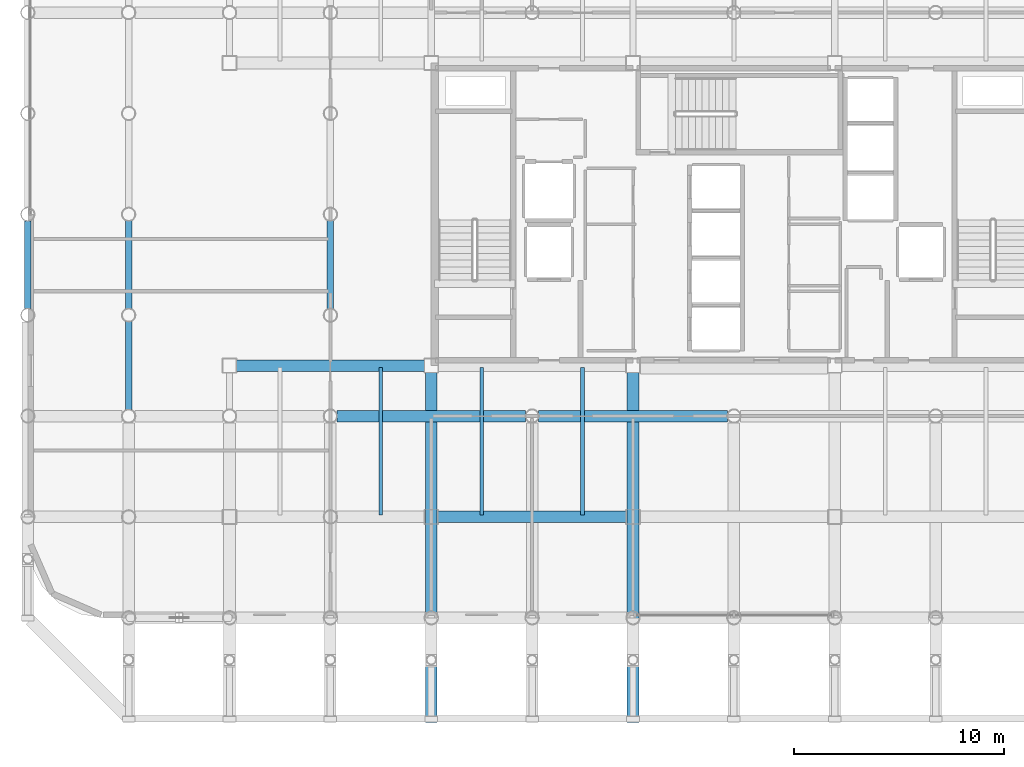
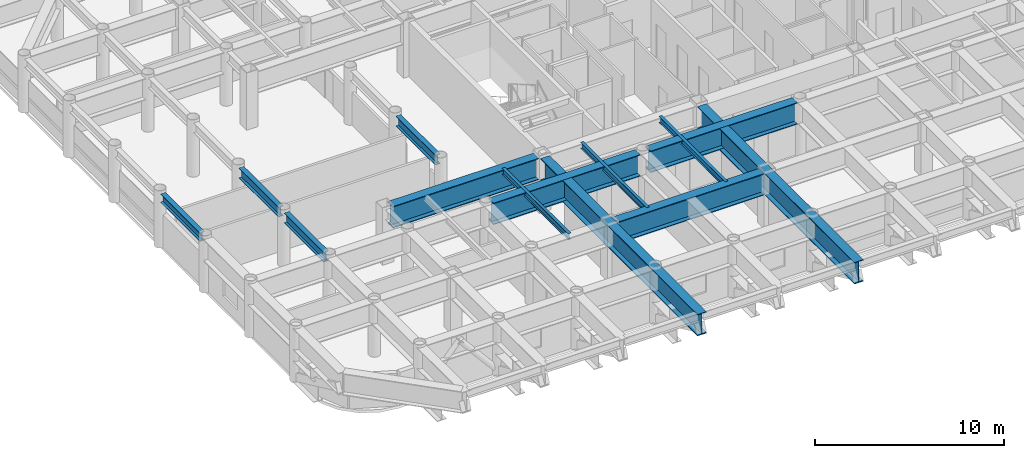
# One storey, part 5 of 24: 13 beams.
"""IFC4 building model written with IfcOpenShell, lengths in metres."""

from ifc_helpers import new_model, si_unit, direction, frame, origin, origin_2d, place, context, subcontext, project, spatial, i_section, extrude, material, material_profile, profile_set, type_object, element, save


model = new_model("IFC4")

# Units and contexts
model_context = context("Model", 3, precision=1e-05, world=origin(), true_north=direction((0.0, 1.0)))
body_context = subcontext(model_context, "Body", "Model", "MODEL_VIEW")
ifc_project = project(units=[si_unit("LENGTHUNIT", "METRE"), si_unit("AREAUNIT", "SQUARE_METRE"), si_unit("VOLUMEUNIT", "CUBIC_METRE"), si_unit("PLANEANGLEUNIT", "RADIAN"), si_unit("MASSUNIT", "GRAM", prefix="KILO")], contexts=[model_context])

# Site, building, storey
site_placement = place(None, origin())
site = spatial("IfcSite", under=ifc_project, at=site_placement, CompositionType="ELEMENT")
building_placement = place(site_placement, origin())
building = spatial("IfcBuilding", under=site, at=building_placement, Name="Kallvorn Hotel Tower", CompositionType="ELEMENT")
storey_placement = place(building_placement, frame((0.0, 0.0, 150.699951171875)))
storey = spatial("IfcBuildingStorey", under=building, at=storey_placement, Name="L37", CompositionType="ELEMENT", Elevation=150.699951171875)

# Beams
ifc_material_1 = material(Name="Structural steel S355JR", Category="steel")
ifc_material_profile_1 = material_profile(ifc_material_1, i_section(OverallWidth=0.300048828125, OverallDepth=0.550048828125, WebThickness=0.014892578125, FlangeThickness=0.029052734375, at=origin_2d()), Name="HE 550 B")
ifc_profile_set_1 = profile_set([ifc_material_profile_1], Name="Structural steel S355JR")
beam_type_1 = type_object("IfcBeamType", Name="BM_HE550B", PredefinedType="SPANDREL", material=ifc_profile_set_1)
beam_1_placement = place(storey_placement, frame((-33.60009765625, -4.47998046875, 3.2451171875), z_axis=(0.0, 1.0, 0.0), x_axis=(-1.0, 0.0, 0.0)))
element("IfcBeam", 1, at=beam_1_placement, inside=storey, type_object=beam_type_1, Name="L38 Perimeter Spandrel 190", PredefinedType="SPANDREL", context=body_context, shape_type="SweptSolid", body=[
    extrude(i_section(OverallWidth=0.300048828125, OverallDepth=0.550048828125, WebThickness=0.014892578125, FlangeThickness=0.029052734375, at=origin_2d()), origin(), (0.0, 0.0, 1.0), 4.159912109375),
])
ifc_material_2 = material(Name="Structural steel S355JR", Category="steel")
ifc_material_profile_2 = material_profile(ifc_material_2, i_section(OverallWidth=0.300048828125, OverallDepth=0.64990234375, WebThickness=0.01611328125, FlangeThickness=0.031005859375, at=origin_2d()), Name="HE 650 B")
ifc_profile_set_2 = profile_set([ifc_material_profile_2], Name="Structural steel S355JR")
beam_type_2 = type_object("IfcBeamType", Name="BM_HE650B", PredefinedType="BEAM", material=ifc_profile_set_2)
beam_2_placement = place(storey_placement, frame((-28.800048828125, -9.294921875, 3.195068359375), z_axis=(0.0, 1.0, 0.0), x_axis=(-1.0, 0.0, 0.0)))
element("IfcBeam", 2, at=beam_2_placement, inside=storey, type_object=beam_type_2, Name="L38 Primary Y-Girder 88", PredefinedType="BEAM", context=body_context, shape_type="SweptSolid", body=[
    extrude(i_section(OverallWidth=0.300048828125, OverallDepth=0.64990234375, WebThickness=0.01611328125, FlangeThickness=0.031005859375, at=origin_2d()), origin(), (0.0, 0.0, 1.0), 4.18994140625),
])
for number, where, z_axis, x_axis, name in (
    (3, (-28.800048828125, -4.4951171875, 3.195068359375), (0.0, 1.0, 0.0), (-1.0, 0.0, 0.0), "L38 Primary Y-Girder 89"),
    (4, (-19.199951171875, -4.4951171875, 3.195068359375), (0.0, 1.0, 0.0), (-1.0, 0.0, 0.0), "L38 Primary Y-Girder 105"),
):
    element("IfcBeam", number, at=place(storey_placement, frame(where, z_axis=z_axis, x_axis=x_axis)), inside=storey, type_object=beam_type_2, Name=name, PredefinedType="BEAM", context=body_context, shape_type="SweptSolid", body=[
        extrude(i_section(OverallWidth=0.300048828125, OverallDepth=0.64990234375, WebThickness=0.01611328125, FlangeThickness=0.031005859375, at=origin_2d()), origin(), (0.0, 0.0, 1.0), 4.190185546875),
    ])
ifc_material_3 = material(Name="Structural steel S355JR", Category="steel")
ifc_material_profile_3 = material_profile(ifc_material_3, i_section(OverallWidth=0.179931640625, OverallDepth=0.39990234375, WebThickness=0.008544921875, FlangeThickness=0.013427734375, at=origin_2d()), Name="IPE 400")
ifc_profile_set_3 = profile_set([ifc_material_profile_3], Name="Structural steel S355JR")
beam_type_3 = type_object("IfcBeamType", Name="BM_IPE400", PredefinedType="JOIST", material=ifc_profile_set_3)
for number, where, z_axis, x_axis, name in (
    (5, (-16.800048828125, -14.300048828125, 3.320068359375), (0.0, 1.0, 0.0), (-1.0, 0.0, 0.0), "L38 Secondary Composite Joist 207"),
    (6, (-12.0, -14.300048828125, 3.320068359375), (0.0, 1.0, 0.0), (-1.0, 0.0, 0.0), "L38 Secondary Composite Joist 209"),
    (7, (-7.199951171875, -14.300048828125, 3.320068359375), (0.0, 1.0, 0.0), (-1.0, 0.0, 0.0), "L38 Secondary Composite Joist 211"),
):
    element("IfcBeam", number, at=place(storey_placement, frame(where, z_axis=z_axis, x_axis=x_axis)), inside=storey, type_object=beam_type_3, Name=name, PredefinedType="JOIST", context=body_context, shape_type="SweptSolid", body=[
        extrude(i_section(OverallWidth=0.179931640625, OverallDepth=0.39990234375, WebThickness=0.008544921875, FlangeThickness=0.013427734375, at=origin_2d()), origin(), (0.0, 0.0, 1.0), 7.0),
    ])
ifc_material_4 = material(Name="Structural steel S355JR", Category="steel")
ifc_material_profile_4 = material_profile(ifc_material_4, i_section(OverallWidth=0.550048828125, OverallDepth=1.39990234375, WebThickness=0.02490234375, FlangeThickness=0.044921875, at=origin_2d()), Name="PG 1400x550x25x45")
ifc_profile_set_4 = profile_set([ifc_material_profile_4], Name="Structural steel S355JR")
beam_type_4 = type_object("IfcBeamType", Name="BM_PG_1400", PredefinedType="BEAM", material=ifc_profile_set_4)
for number, where, z_axis, x_axis, name in (
    (8, (-14.39990234375, -7.5400390625, 2.820068359375), (0.0, -1.0, 0.0), (1.0, 0.0, 0.0), "L38 Continuous Cantilever Transfer Girder 05"),
    (9, (-4.800048828125, -7.5400390625, 2.820068359375), (0.0, -1.0, 0.0), (1.0, 0.0, 0.0), "L38 Continuous Cantilever Transfer Girder 07"),
):
    element("IfcBeam", number, at=place(storey_placement, frame(where, z_axis=z_axis, x_axis=x_axis)), inside=storey, type_object=beam_type_4, Name=name, PredefinedType="BEAM", context=body_context, shape_type="SweptSolid", body=[
        extrude(i_section(OverallWidth=0.550048828125, OverallDepth=1.39990234375, WebThickness=0.02490234375, FlangeThickness=0.044921875, at=origin_2d()), origin(), (0.0, 0.0, 1.0), 16.639892578125),
    ])
beam_3_placement = place(storey_placement, frame((-14.074951171875, -14.39990234375, 2.820068359375), z_axis=(1.0, 0.0, 0.0), x_axis=(0.0, 1.0, 0.0)))
element("IfcBeam", 10, at=beam_3_placement, inside=storey, type_object=beam_type_4, Name="L38 Primary X-Girder 30", PredefinedType="BEAM", context=body_context, shape_type="SweptSolid", body=[
    extrude(i_section(OverallWidth=0.550048828125, OverallDepth=1.39990234375, WebThickness=0.02490234375, FlangeThickness=0.044921875, at=origin_2d()), origin(), (0.0, 0.0, 1.0), 8.949951171875),
])
for number, where, z_axis, x_axis, name in (
    (11, (-18.89501953125, -9.60009765625, 2.820068359375), (1.0, 0.0, 0.0), (0.0, 1.0, 0.0), "L38 Primary X-Girder 39"),
    (12, (-9.294921875, -9.60009765625, 2.820068359375), (1.0, 0.0, 0.0), (0.0, 1.0, 0.0), "L38 Primary X-Girder 40"),
):
    element("IfcBeam", number, at=place(storey_placement, frame(where, z_axis=z_axis, x_axis=x_axis)), inside=storey, type_object=beam_type_4, Name=name, PredefinedType="BEAM", context=body_context, shape_type="SweptSolid", body=[
        extrude(i_section(OverallWidth=0.550048828125, OverallDepth=1.39990234375, WebThickness=0.02490234375, FlangeThickness=0.044921875, at=origin_2d()), origin(), (0.0, 0.0, 1.0), 8.989990234375),
    ])
beam_4_placement = place(storey_placement, frame((-23.675048828125, -7.199951171875, 2.820068359375), z_axis=(1.0, 0.0, 0.0), x_axis=(0.0, 1.0, 0.0)))
element("IfcBeam", 13, at=beam_4_placement, inside=storey, type_object=beam_type_4, Name="L38 Primary X-Girder 45", PredefinedType="BEAM", context=body_context, shape_type="SweptSolid", body=[
    extrude(i_section(OverallWidth=0.550048828125, OverallDepth=1.39990234375, WebThickness=0.02490234375, FlangeThickness=0.044921875, at=origin_2d()), origin(), (0.0, 0.0, 1.0), 8.949951171875),
])

save(model, "model.ifc")
